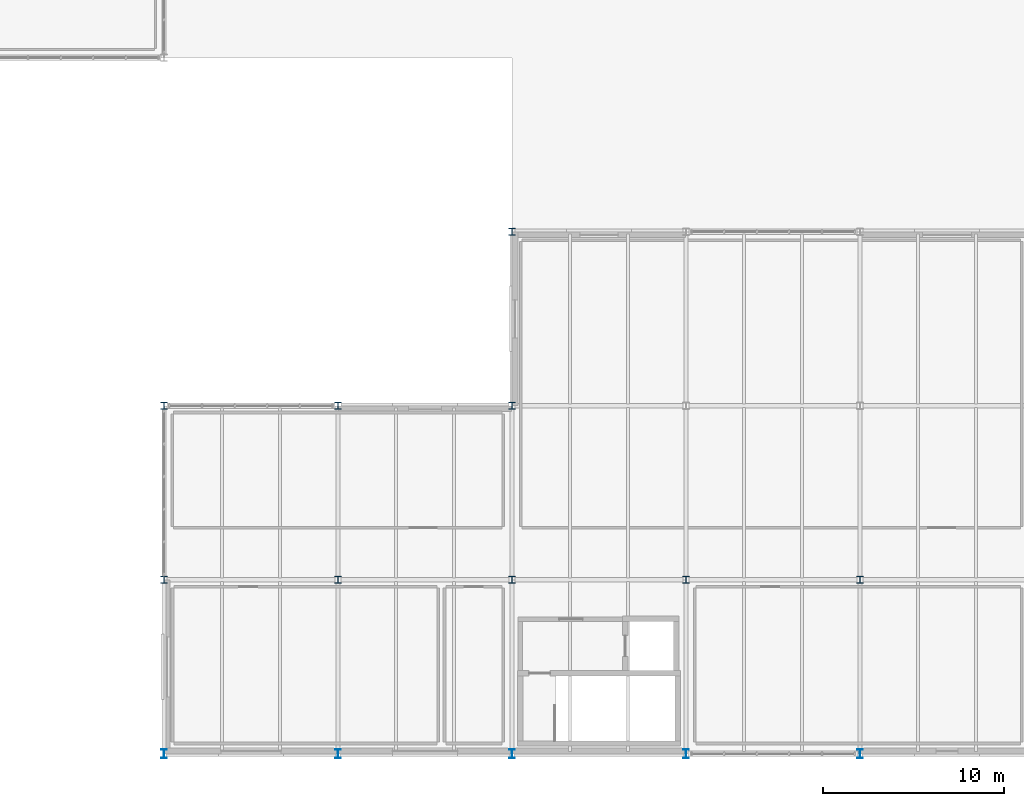
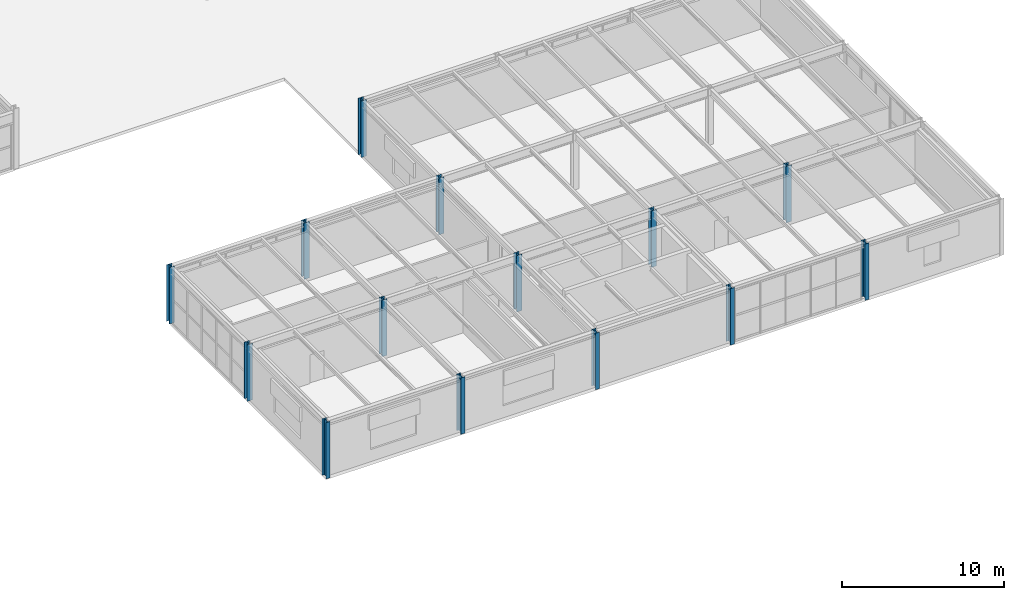
# One storey, part 12 of 170: 14 columns.
"""IFC4 building model written with IfcOpenShell, lengths in metres."""

from ifc_helpers import new_model, si_unit, direction, frame, origin, origin_2d, place, context, subcontext, project, spatial, i_section, extrude, material, material_profile, profile_set, type_object, element, save


model = new_model("IFC4")

# Units and contexts
model_context = context("Model", 3, precision=1e-05, world=origin(), true_north=direction((0.0, 1.0)))
body_context = subcontext(model_context, "Body", "Model", "MODEL_VIEW")
ifc_project = project(units=[si_unit("LENGTHUNIT", "METRE"), si_unit("AREAUNIT", "SQUARE_METRE"), si_unit("VOLUMEUNIT", "CUBIC_METRE"), si_unit("PLANEANGLEUNIT", "RADIAN"), si_unit("MASSUNIT", "GRAM", prefix="KILO")], contexts=[model_context])

# Site, building, storey
site_placement = place(None, origin())
site = spatial("IfcSite", under=ifc_project, at=site_placement, CompositionType="ELEMENT")
building_placement = place(site_placement, origin())
building = spatial("IfcBuilding", under=site, at=building_placement, Name="Coralgate Yard Interchange", CompositionType="ELEMENT")
storey_placement = place(building_placement, frame((0.0, 0.0, 6.0)))
storey = spatial("IfcBuildingStorey", under=building, at=storey_placement, Name="L01", CompositionType="ELEMENT", Elevation=6.0)

# Columns
ifc_material = material(Name="Structural steel S355J2", Category="steel")
ifc_material_profile_1 = material_profile(ifc_material, i_section(OverallWidth=0.300048828125, OverallDepth=0.5, WebThickness=0.014404296875, FlangeThickness=0.028076171875, FilletRadius=0.027099609375, at=origin_2d()), Name="HEB 500")
ifc_profile_set_1 = profile_set([ifc_material_profile_1], Name="Structural steel S355J2")
column_type_1 = type_object("IfcColumnType", Name="COL-SC-10", PredefinedType="COLUMN", material=ifc_profile_set_1)
for number, where, z_axis, x_axis, name in (
    (1, (134.39990234375, 0.0, 0.0), (0.0, 0.0, 1.0), (1.0, 0.0, 0.0), "L01 structural column 14-0"),
    (2, (144.0, 0.0, 0.0), (0.0, 0.0, 1.0), (1.0, 0.0, 0.0), "L01 structural column 15-0"),
    (3, (153.60009765625, 0.0, 0.0), (0.0, 0.0, 1.0), (1.0, 0.0, 0.0), "L01 structural column 16-0"),
    (4, (163.199951171875, 0.0, 0.0), (0.0, 0.0, 1.0), (1.0, 0.0, 0.0), "L01 structural column 17-0"),
    (5, (172.800048828125, 0.0, 0.0), (0.0, 0.0, 1.0), (1.0, 0.0, 0.0), "L01 structural column 18-0"),
):
    element("IfcColumn", number, at=place(storey_placement, frame(where, z_axis=z_axis, x_axis=x_axis)), inside=storey, type_object=column_type_1, Name=name, PredefinedType="COLUMN", context=body_context, shape_type="SweptSolid", body=[
        extrude(i_section(OverallWidth=0.300048828125, OverallDepth=0.5, WebThickness=0.014404296875, FlangeThickness=0.028076171875, FilletRadius=0.027099609375, at=origin_2d()), origin(), (0.0, 0.0, 1.0), 4.25),
    ])
ifc_material_profile_2 = material_profile(ifc_material, i_section(OverallWidth=0.37255859375, OverallDepth=0.3681640625, WebThickness=0.014404296875, FlangeThickness=0.023681640625, FilletRadius=0.01513671875, at=origin_2d()), Name="UC 356x368x177")
ifc_profile_set_2 = profile_set([ifc_material_profile_2], Name="Structural steel S355J2")
column_type_2 = type_object("IfcColumnType", Name="COL-SC-3", PredefinedType="COLUMN", material=ifc_profile_set_2)
for number, where, z_axis, x_axis, name in (
    (6, (134.39990234375, 9.60009765625, 0.0), (0.0, 0.0, 1.0), (1.0, 0.0, 0.0), "L01 structural column 14-1"),
    (7, (134.39990234375, 19.199951171875, 0.0), (0.0, 0.0, 1.0), (1.0, 0.0, 0.0), "L01 structural column 14-2"),
    (8, (144.0, 9.60009765625, 0.0), (0.0, 0.0, 1.0), (1.0, 0.0, 0.0), "L01 structural column 15-1"),
    (9, (144.0, 19.199951171875, 0.0), (0.0, 0.0, 1.0), (1.0, 0.0, 0.0), "L01 structural column 15-2"),
    (10, (153.60009765625, 9.60009765625, 0.0), (0.0, 0.0, 1.0), (1.0, 0.0, 0.0), "L01 structural column 16-1"),
    (11, (153.60009765625, 19.199951171875, 0.0), (0.0, 0.0, 1.0), (1.0, 0.0, 0.0), "L01 structural column 16-2"),
    (12, (153.60009765625, 28.800048828125, 0.0), (0.0, 0.0, 1.0), (1.0, 0.0, 0.0), "L01 structural column 16-3"),
    (13, (163.199951171875, 9.60009765625, 0.0), (0.0, 0.0, 1.0), (1.0, 0.0, 0.0), "L01 structural column 17-1"),
    (14, (172.800048828125, 9.60009765625, 0.0), (0.0, 0.0, 1.0), (1.0, 0.0, 0.0), "L01 structural column 18-1"),
):
    element("IfcColumn", number, at=place(storey_placement, frame(where, z_axis=z_axis, x_axis=x_axis)), inside=storey, type_object=column_type_2, Name=name, PredefinedType="COLUMN", context=body_context, shape_type="SweptSolid", body=[
        extrude(i_section(OverallWidth=0.37255859375, OverallDepth=0.3681640625, WebThickness=0.014404296875, FlangeThickness=0.023681640625, FilletRadius=0.01513671875, at=origin_2d()), origin(), (0.0, 0.0, 1.0), 4.25),
    ])

save(model, "model.ifc")
